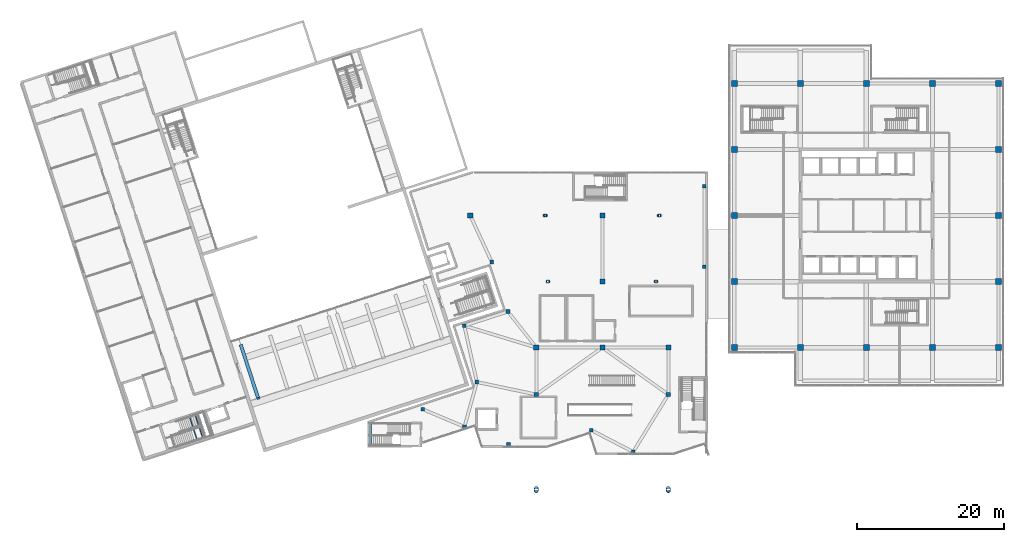
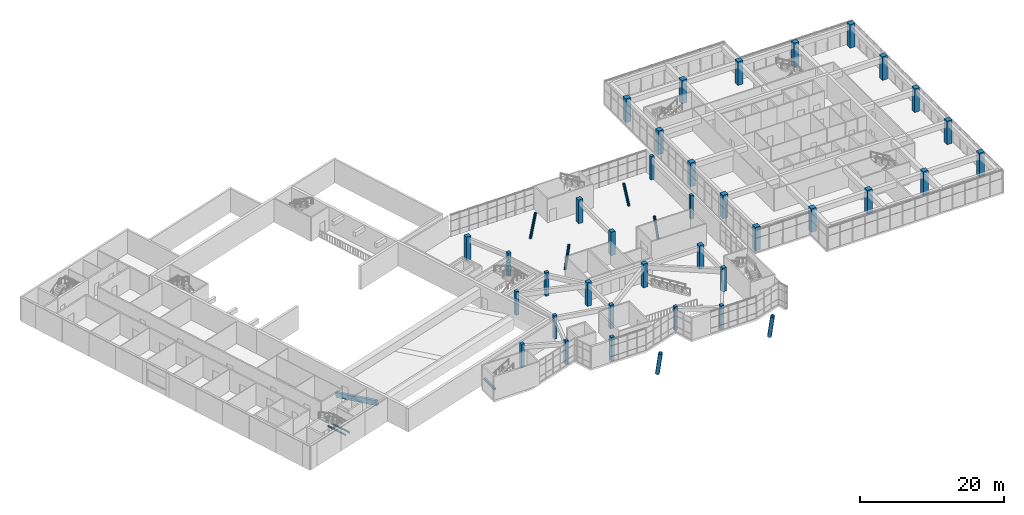
# One storey, part 1 of 66: 41 columns, 4 beams.
"""IFC4 building model written with IfcOpenShell, lengths in metres."""

from ifc_helpers import new_model, si_unit, direction, frame, origin, origin_2d, place, context, subcontext, project, spatial, rectangle, hollow_circle, i_section, extrude, material, material_profile, profile_set, type_object, element, save


model = new_model("IFC4")

# Units and contexts
model_context = context("Model", 3, precision=1e-05, world=origin(), true_north=direction((0.0, 1.0)))
body_context = subcontext(model_context, "Body", "Model", "MODEL_VIEW")
ifc_project = project(units=[si_unit("LENGTHUNIT", "METRE"), si_unit("AREAUNIT", "SQUARE_METRE"), si_unit("VOLUMEUNIT", "CUBIC_METRE"), si_unit("PLANEANGLEUNIT", "RADIAN"), si_unit("MASSUNIT", "GRAM", prefix="KILO")], contexts=[model_context])

# Site, building, storey
site_placement = place(None, origin())
site = spatial("IfcSite", under=ifc_project, at=site_placement, CompositionType="ELEMENT")
building_placement = place(site_placement, origin())
building = spatial("IfcBuilding", under=site, at=building_placement, Name="Tuart Plaza Theatre", CompositionType="ELEMENT")
storey_placement = place(building_placement, frame((0.0, 0.0, 5.5)))
storey = spatial("IfcBuildingStorey", under=building, at=storey_placement, Name="L01", CompositionType="ELEMENT", Elevation=5.5)

# Columns
ifc_material_1 = material(Name="Steel Grade C350L0", Category="steel")
ifc_material_profile_1 = material_profile(ifc_material_1, hollow_circle(Radius=0.203125, WallThickness=0.0126953125, at=origin_2d()), Name="406.4x12.7 CHS")
ifc_profile_set_1 = profile_set([ifc_material_profile_1], Name="Steel Grade C350L0")
column_type_1 = type_object("IfcColumnType", Name="COLUMN 406.4x12.7 CHS", PredefinedType="COLUMN", material=ifc_profile_set_1)
for number, where, z_axis, x_axis, name in (
    (1, (88.50146484375, 65.0, 0.0), (0.144168898847, 0.0, 0.989553095395), (0.0, 1.0, 0.0), "SC27"),
    (2, (103.398681640625, 65.0, 0.0), (-0.144228040259, 0.0, 0.989544477223), (0.0, -1.0, 0.0), "SC28"),
):
    element("IfcColumn", number, at=place(storey_placement, frame(where, z_axis=z_axis, x_axis=x_axis)), inside=storey, type_object=column_type_1, Name=name, PredefinedType="COLUMN", context=body_context, shape_type="SweptSolid", body=[
        extrude(hollow_circle(Radius=0.203125, WallThickness=0.0126953125, at=origin_2d()), origin(), (0.0, 0.0, 1.0), 4.042236328125),
    ])
for number, where, z_axis, x_axis, name in (
    (3, (88.10009765625, 74.0, 0.0), (0.196070096109, 0.0, 0.980589882373), (0.0, 1.0, 0.0), "SC29"),
    (4, (103.89990234375, 74.0, 0.0), (-0.196070096109, 0.0, 0.980589882373), (0.0, -1.0, 0.0), "SC30"),
):
    element("IfcColumn", number, at=place(storey_placement, frame(where, z_axis=z_axis, x_axis=x_axis)), inside=storey, type_object=column_type_1, Name=name, PredefinedType="COLUMN", context=body_context, shape_type="SweptSolid", body=[
        extrude(hollow_circle(Radius=0.203125, WallThickness=0.0126953125, at=origin_2d()), origin(), (0.0, 0.0, 1.0), 4.0791015625),
    ])
ifc_material_2 = material(Name="Concrete N50 (50 MPa)", Category="concrete")
ifc_material_profile_2 = material_profile(ifc_material_2, rectangle(XDim=0.5, YDim=0.5, at=origin_2d()), Name="COLUMN 500x500 Concrete N50 (50 MPa)")
ifc_profile_set_2 = profile_set([ifc_material_profile_2], Name="Concrete N50 (50 MPa)")
column_type_2 = type_object("IfcColumnType", Name="COLUMN 500x500 Concrete N50 (50 MPa)", PredefinedType="COLUMN", material=ifc_profile_set_2)
for number, where, z_axis, x_axis, name in (
    (5, (109.909912109375, 78.0, 0.0), (0.0, 0.0, 1.0), (1.0, 0.0, 0.0), "C37"),
    (6, (109.909912109375, 67.0, 0.0), (0.0, 0.0, 1.0), (1.0, 0.0, 0.0), "C38"),
    (7, (100.199951171875, 41.780029296875, 0.0), (0.0, 0.0, 1.0), (1.0, 0.0, 0.0), "C39"),
    (8, (94.47998046875, 44.75, 0.0), (0.0, 0.0, 1.0), (1.0, 0.0, 0.0), "C40"),
    (9, (83.199951171875, 42.780029296875, 0.0), (0.0, 0.0, 1.0), (1.0, 0.0, 0.0), "C41"),
    (10, (77.199951171875, 45.199951171875, 0.0), (0.0, 0.0, 1.0), (1.0, 0.0, 0.0), "C42"),
    (11, (71.5, 47.60009765625, 0.0), (0.0, 0.0, 1.0), (1.0, 0.0, 0.0), "C43"),
    (12, (78.89990234375, 51.300048828125, 0.0), (0.0, 0.0, 1.0), (1.0, 0.0, 0.0), "C44"),
    (13, (77.181640625, 58.9853515625, 0.0), (0.0, 0.0, 1.0), (1.0, 0.0, 0.0), "C45"),
    (14, (83.1298828125, 60.909912109375, 0.0), (0.0, 0.0, 1.0), (1.0, 0.0, 0.0), "C46"),
    (15, (80.929931640625, 67.659912109375, 0.0), (0.0, 0.0, 1.0), (1.0, 0.0, 0.0), "C47"),
):
    element("IfcColumn", number, at=place(storey_placement, frame(where, z_axis=z_axis, x_axis=x_axis)), inside=storey, type_object=column_type_2, Name=name, PredefinedType="COLUMN", context=body_context, shape_type="SweptSolid", body=[
        extrude(rectangle(XDim=0.5, YDim=0.5, at=origin_2d()), origin(), (0.0, 0.0, 1.0), 4.0),
    ])
ifc_material_3 = material(Name="Concrete N50 (50 MPa)", Category="concrete")
ifc_material_profile_3 = material_profile(ifc_material_3, rectangle(XDim=0.60009765625, YDim=0.60009765625, at=origin_2d()), Name="COLUMN 600x600 Concrete N50 (50 MPa)")
ifc_profile_set_3 = profile_set([ifc_material_profile_3], Name="Concrete N50 (50 MPa)")
column_type_3 = type_object("IfcColumnType", Name="COLUMN 600x600 Concrete N50 (50 MPa)", PredefinedType="COLUMN", material=ifc_profile_set_3)
for number, where, z_axis, x_axis, name in (
    (16, (87.0, 49.60009765625, 0.0), (0.0, 0.0, 1.0), (1.0, 0.0, 0.0), "C48"),
    (17, (105.0, 49.60009765625, 0.0), (0.0, 0.0, 1.0), (1.0, 0.0, 0.0), "C49"),
):
    element("IfcColumn", number, at=place(storey_placement, frame(where, z_axis=z_axis, x_axis=x_axis)), inside=storey, type_object=column_type_3, Name=name, PredefinedType="COLUMN", context=body_context, shape_type="SweptSolid", body=[
        extrude(rectangle(XDim=0.60009765625, YDim=0.60009765625, at=origin_2d()), origin(), (0.0, 0.0, 1.0), 4.0),
    ])
ifc_material_4 = material(Name="Steel Grade C350L0", Category="steel")
ifc_material_profile_4 = material_profile(ifc_material_4, hollow_circle(Radius=0.304931640625, WallThickness=0.0126953125, at=origin_2d()), Name="610x12.7 CHS")
ifc_profile_set_4 = profile_set([ifc_material_profile_4], Name="Steel Grade C350L0")
column_type_4 = type_object("IfcColumnType", Name="COLUMN 610x12.7 CHS", PredefinedType="COLUMN", material=ifc_profile_set_4)
for number, where, z_axis, x_axis, name in (
    (18, (87.0, 36.77783203125, 0.0), (0.0, -0.216936766459, 0.976185658243), (1.0, 0.0, 0.0), "SC25"),
    (19, (105.0, 36.77783203125, 0.0), (0.0, -0.216936766459, 0.976185658243), (1.0, 0.0, 0.0), "SC26"),
):
    element("IfcColumn", number, at=place(storey_placement, frame(where, z_axis=z_axis, x_axis=x_axis)), inside=storey, type_object=column_type_4, Name=name, PredefinedType="COLUMN", context=body_context, shape_type="SweptSolid", body=[
        extrude(hollow_circle(Radius=0.304931640625, WallThickness=0.0126953125, at=origin_2d()), origin(), (0.0, 0.0, 1.0), 4.09765625),
    ])
ifc_material_5 = material(Name="Concrete N50 (50 MPa)", Category="concrete")
ifc_material_profile_5 = material_profile(ifc_material_5, rectangle(XDim=0.699951171875, YDim=0.699951171875, at=origin_2d()), Name="COLUMN 700x700 Concrete N50 (50 MPa)")
ifc_profile_set_5 = profile_set([ifc_material_profile_5], Name="Concrete N50 (50 MPa)")
column_type_5 = type_object("IfcColumnType", Name="COLUMN 700x700 Concrete N50 (50 MPa)", PredefinedType="COLUMN", material=ifc_profile_set_5)
for number, where, z_axis, x_axis, name in (
    (20, (78.0, 74.0, 0.0), (0.0, 0.0, 1.0), (1.0, 0.0, 0.0), "C31"),
    (21, (87.0, 56.0, 0.0), (0.0, 0.0, 1.0), (1.0, 0.0, 0.0), "C32"),
    (22, (96.0, 56.0, 0.0), (0.0, 0.0, 1.0), (1.0, 0.0, 0.0), "C33"),
    (23, (96.0, 65.0, 0.0), (0.0, 0.0, 1.0), (1.0, 0.0, 0.0), "C34"),
    (24, (96.0, 74.0, 0.0), (0.0, 0.0, 1.0), (1.0, 0.0, 0.0), "C35"),
    (25, (105.0, 56.0, 0.0), (0.0, 0.0, 1.0), (1.0, 0.0, 0.0), "C36"),
):
    element("IfcColumn", number, at=place(storey_placement, frame(where, z_axis=z_axis, x_axis=x_axis)), inside=storey, type_object=column_type_5, Name=name, PredefinedType="COLUMN", context=body_context, shape_type="SweptSolid", body=[
        extrude(rectangle(XDim=0.699951171875, YDim=0.699951171875, at=origin_2d()), origin(), (0.0, 0.0, 1.0), 4.0),
    ])
ifc_material_6 = material(Name="Concrete N50 (50 MPa)", Category="concrete")
ifc_material_profile_6 = material_profile(ifc_material_6, rectangle(XDim=0.800048828125, YDim=0.800048828125, at=origin_2d()), Name="COLUMN 800x800 Concrete N50 (50 MPa)")
ifc_profile_set_6 = profile_set([ifc_material_profile_6], Name="Concrete N50 (50 MPa)")
column_type_6 = type_object("IfcColumnType", Name="COLUMN 800x800 Concrete N50 (50 MPa)", PredefinedType="COLUMN", material=ifc_profile_set_6)
for number, where, z_axis, x_axis, name in (
    (26, (114.0, 56.0, 0.0), (0.0, 0.0, 1.0), (1.0, 0.0, 0.0), "C50"),
    (27, (114.0, 65.0, 0.0), (0.0, 0.0, 1.0), (1.0, 0.0, 0.0), "C51"),
    (28, (114.0, 74.0, 0.0), (0.0, 0.0, 1.0), (1.0, 0.0, 0.0), "C52"),
    (29, (114.0, 83.0, 0.0), (0.0, 0.0, 1.0), (1.0, 0.0, 0.0), "C53"),
    (30, (114.0, 92.0, 0.0), (0.0, 0.0, 1.0), (1.0, 0.0, 0.0), "C54"),
    (31, (123.0, 56.0, 0.0), (0.0, 0.0, 1.0), (1.0, 0.0, 0.0), "C55"),
    (32, (123.0, 92.0, 0.0), (0.0, 0.0, 1.0), (1.0, 0.0, 0.0), "C56"),
    (33, (132.0, 56.0, 0.0), (0.0, 0.0, 1.0), (1.0, 0.0, 0.0), "C57"),
    (34, (132.0, 92.0, 0.0), (0.0, 0.0, 1.0), (1.0, 0.0, 0.0), "C58"),
    (35, (141.0, 56.0, 0.0), (0.0, 0.0, 1.0), (1.0, 0.0, 0.0), "C59"),
    (36, (141.0, 92.0, 0.0), (0.0, 0.0, 1.0), (1.0, 0.0, 0.0), "C60"),
    (37, (150.0, 56.0, 0.0), (0.0, 0.0, 1.0), (1.0, 0.0, 0.0), "C61"),
    (38, (150.0, 65.0, 0.0), (0.0, 0.0, 1.0), (1.0, 0.0, 0.0), "C62"),
    (39, (150.0, 74.0, 0.0), (0.0, 0.0, 1.0), (1.0, 0.0, 0.0), "C63"),
    (40, (150.0, 83.0, 0.0), (0.0, 0.0, 1.0), (1.0, 0.0, 0.0), "C64"),
    (41, (150.0, 92.0, 0.0), (0.0, 0.0, 1.0), (1.0, 0.0, 0.0), "C65"),
):
    element("IfcColumn", number, at=place(storey_placement, frame(where, z_axis=z_axis, x_axis=x_axis)), inside=storey, type_object=column_type_6, Name=name, PredefinedType="COLUMN", context=body_context, shape_type="SweptSolid", body=[
        extrude(rectangle(XDim=0.800048828125, YDim=0.800048828125, at=origin_2d()), origin(), (0.0, 0.0, 1.0), 4.0),
    ])

# Beams
ifc_material_7 = material(Name="Steel Grade 300", Category="steel")
ifc_material_profile_7 = material_profile(ifc_material_7, i_section(OverallWidth=0.14599609375, OverallDepth=0.256103515625, WebThickness=0.00634765625, FlangeThickness=0.010986328125, FilletRadius=0.0087890625, at=origin_2d()), Name="250UB37.3")
ifc_profile_set_7 = profile_set([ifc_material_profile_7], Name="Steel Grade 300")
beam_type_1 = type_object("IfcBeamType", Name="BEAM 250UB37.3", PredefinedType="BEAM", material=ifc_profile_set_7)
for number, where, z_axis, x_axis, name in (
    (42, (40.498291015625, 46.851318359375, 1.672119140625), (0.309045481752, -0.951047259714, 0.0), (0.951047259714, 0.309045481752, 0.0), "SB7"),
    (43, (39.72314453125, 46.599365234375, 1.672119140625), (0.309045481752, -0.951047259714, 0.0), (0.951047259714, 0.309045481752, 0.0), "SB8"),
):
    element("IfcBeam", number, at=place(storey_placement, frame(where, z_axis=z_axis, x_axis=x_axis)), inside=storey, type_object=beam_type_1, Name=name, PredefinedType="BEAM", context=body_context, shape_type="SweptSolid", body=[
        extrude(i_section(OverallWidth=0.14599609375, OverallDepth=0.256103515625, WebThickness=0.00634765625, FlangeThickness=0.010986328125, FilletRadius=0.0087890625, at=origin_2d()), origin(), (0.0, 0.0, 1.0), 3.400146484375),
    ])
ifc_material_8 = material(Name="Concrete N40 (40 MPa)", Category="concrete")
ifc_material_profile_8 = material_profile(ifc_material_8, rectangle(XDim=0.300048828125, YDim=0.300048828125, at=origin_2d()), Name="BEAM 300x300 Concrete N40 (40 MPa)")
ifc_profile_set_8 = profile_set([ifc_material_profile_8], Name="Concrete N40 (40 MPa)")
beam_type_2 = type_object("IfcBeamType", Name="BEAM 300x300 Concrete N40 (40 MPa)", PredefinedType="BEAM", material=ifc_profile_set_8)
beam_1_placement = place(storey_placement, frame((64.35205078125, 45.64990234375, 1.64990234375), z_axis=(0.0, -1.0, 0.0), x_axis=(1.0, 0.0, 0.0)))
element("IfcBeam", 44, at=beam_1_placement, inside=storey, type_object=beam_type_2, Name="RB54", PredefinedType="BEAM", context=body_context, shape_type="SweptSolid", body=[
    extrude(rectangle(XDim=0.300048828125, YDim=0.300048828125, at=origin_2d()), origin(), (0.0, 0.0, 1.0), 3.0),
])
ifc_material_9 = material(Name="Concrete N40 (40 MPa)", Category="concrete")
ifc_material_profile_9 = material_profile(ifc_material_9, rectangle(XDim=0.449951171875, YDim=0.800048828125, at=origin_2d()), Name="BEAM 450x800 Concrete N40 SLOPED")
ifc_profile_set_9 = profile_set([ifc_material_profile_9], Name="Concrete N40 (40 MPa)")
beam_type_3 = type_object("IfcBeamType", Name="BEAM 450x800 Concrete N40 SLOPED", PredefinedType="BEAM", material=ifc_profile_set_9)
beam_2_placement = place(storey_placement, frame((49.096923828125, 49.06689453125, 0.82470703125), z_axis=(-0.297372551228, 0.915273079494, -0.271743915718), x_axis=(-0.951061921371, -0.309000358767, 0.0)))
element("IfcBeam", 45, at=beam_2_placement, inside=storey, type_object=beam_type_3, Name="RB16", PredefinedType="BEAM", context=body_context, shape_type="SweptSolid", body=[
    extrude(rectangle(XDim=0.449951171875, YDim=0.800048828125, at=origin_2d()), origin(), (0.0, 0.0, 1.0), 7.897216796875),
])

save(model, "model.ifc")
